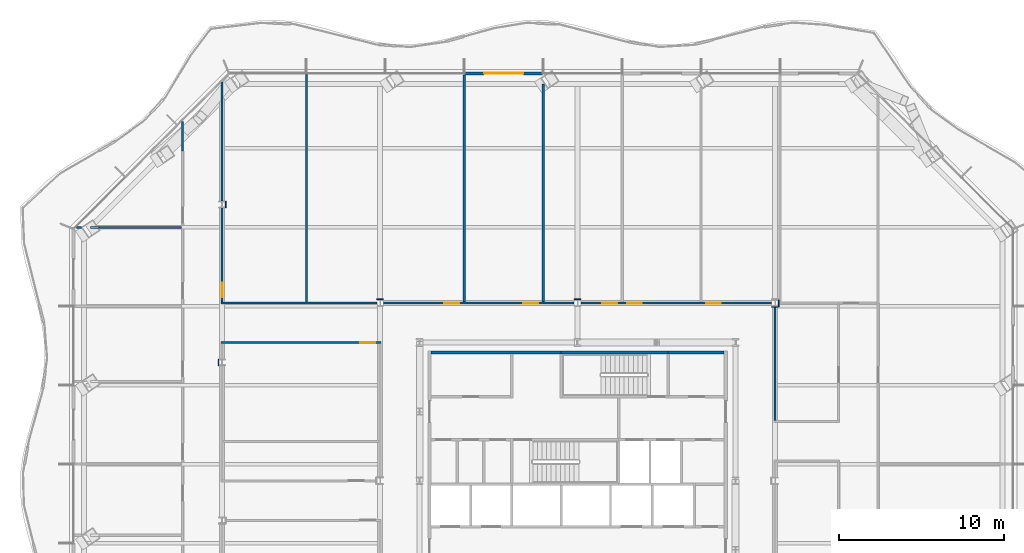
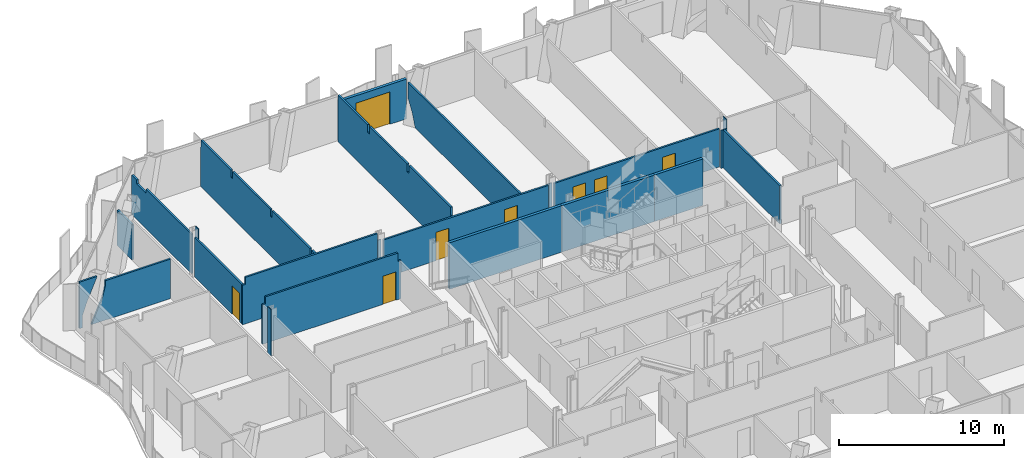
# One storey, part 12 of 22: 23 walls, 8 doors, 8 openings.
"""IFC4 building model written with IfcOpenShell, lengths in metres."""

from ifc_helpers import new_model, si_unit, direction, frame, frame_2d, origin, place, context, subcontext, project, spatial, polyline, rectangle, outline, extrude, material, layer, layer_set, type_object, element, fill, save


model = new_model("IFC4")

# Units and contexts
model_context = context("Model", 3, precision=1e-05, world=origin(), true_north=direction((0.0, 1.0)))
body_context = subcontext(model_context, "Body", "Model", "MODEL_VIEW")
ifc_project = project(units=[si_unit("LENGTHUNIT", "METRE"), si_unit("AREAUNIT", "SQUARE_METRE"), si_unit("VOLUMEUNIT", "CUBIC_METRE"), si_unit("PLANEANGLEUNIT", "RADIAN"), si_unit("MASSUNIT", "GRAM", prefix="KILO")], contexts=[model_context])

# Site, building, storey
site_placement = place(None, origin())
site = spatial("IfcSite", under=ifc_project, at=site_placement, CompositionType="ELEMENT")
building_placement = place(site_placement, origin())
building = spatial("IfcBuilding", under=site, at=building_placement, Name="Cairn Pilgrim Tower", CompositionType="ELEMENT")
storey_placement = place(building_placement, frame((0.0, 0.0, 105.0)))
storey = spatial("IfcBuildingStorey", under=building, at=storey_placement, Name="L25", CompositionType="ELEMENT", Elevation=105.0)

# Wall, opening, door
ifc_material_1 = material(Name="Bronze anodised aluminium insulated sandwich panel with mineral wool fill", Category="aluminium")
ifc_layer_1 = layer(ifc_material_1, 0.199951171875)
ifc_layer_set_1 = layer_set([ifc_layer_1], Name="BRONZE INFILL FRAME WALL 200")
wall_type_1 = type_object("IfcWallType", Name="BRONZE INFILL FRAME WALL 200", PredefinedType="NOTDEFINED", material=ifc_layer_set_1)
wall_1_placement = place(storey_placement, frame((5.0830078125, 27.15869140625, 0.0), z_axis=(0.0, 0.0, 1.0), x_axis=(-1.0, 0.0, 0.0)))
wall_1 = element("IfcWall", 1, at=wall_1_placement, inside=storey, type_object=wall_type_1, Name="Bronze infill frame wall IW-N5", PredefinedType="NOTDEFINED", context=body_context, shape_type="SweptSolid", body=[
    extrude(rectangle(XDim=4.739990234375, YDim=0.199951171875, at=frame_2d((2.3701171875, 0.0))), origin(), (0.0, 0.0, 1.0), 2.949951171875),
])
opening_1_placement = place(wall_1_placement, frame((1.169921875, 0.0, 0.0)))
opening_1 = element("IfcOpeningElement", 2, at=opening_1_placement, cuts=wall_1, Name="Opening 2518B", PredefinedType="OPENING", context=body_context, shape_type="SweptSolid", body=[
    extrude(rectangle(XDim=2.39990234375, YDim=2.39990234375, at=frame_2d((1.199951171875, 1.199951171875))), frame((0.0, 0.10986328125, 0.0), z_axis=(0.0, -1.0, 0.0), x_axis=(1.0, 0.0, 0.0)), (0.0, 0.0, 1.0), 0.219970703125),
])
ifc_material_2 = material(Name="Bronze anodised aluminium frame with tinted low-E glass", Category="aluminium")
door_type_1 = type_object("IfcDoorType", Name="BALCONY SLIDING DOOR 2400x2400", OperationType="DOUBLE_DOOR_SLIDING", PredefinedType="DOOR", material=ifc_material_2)
door_1_placement = place(opening_1_placement, origin())
door_1 = element("IfcDoor", 3, at=door_1_placement, inside=storey, type_object=door_type_1, Name="Balcony sliding door 2518B", OperationType="SINGLE_SWING_LEFT", OverallHeight=2.39990234375, OverallWidth=2.39990234375, PredefinedType="DOOR", context=body_context, shape_type="SweptSolid", body=[
    extrude(rectangle(XDim=2.39990234375, YDim=2.39990234375, at=frame_2d((1.199951171875, 1.199951171875))), frame((0.0, 0.02490234375, 0.0), z_axis=(0.0, -1.0, 0.0), x_axis=(1.0, 0.0, 0.0)), (0.0, 0.0, 1.0), 0.050048828125),
])
fill(opening_1, door_1)

# Walls
ifc_material_3 = material(Name="Concrete C32/40", Category="concrete")
ifc_layer_2 = layer(ifc_material_3, 0.199951171875)
ifc_layer_set_2 = layer_set([ifc_layer_2], Name="CORE OUTER WALL 200 EI 120")
wall_type_2 = type_object("IfcWallType", Name="CORE OUTER WALL 200 EI 120", PredefinedType="SOLIDWALL", material=ifc_layer_set_2)
wall_2_placement = place(storey_placement, frame((-1.699951171875, 10.199951171875, 0.0), z_axis=(0.0, 0.0, 1.0), x_axis=(1.0, 0.0, 0.0)))
element("IfcWall", 4, at=wall_2_placement, inside=storey, type_object=wall_type_2, Name="CW:L25:H11-1", PredefinedType="SOLIDWALL", context=body_context, shape_type="SweptSolid", body=[
    extrude(rectangle(XDim=7.89990234375, YDim=0.199951171875, at=frame_2d((3.949951171875, 0.0))), origin(), (0.0, 0.0, 1.0), 3.449951171875),
])
wall_3_placement = place(storey_placement, frame((12.699951171875, 10.199951171875, 0.0), z_axis=(0.0, 0.0, 1.0), x_axis=(1.0, 0.0, 0.0)))
element("IfcWall", 5, at=wall_3_placement, inside=storey, type_object=wall_type_2, Name="CW:L25:H11-3", PredefinedType="SOLIDWALL", context=body_context, shape_type="SweptSolid", body=[
    extrude(rectangle(XDim=3.400146484375, YDim=0.199951171875, at=frame_2d((1.7001953125, 0.0))), origin(), (0.0, 0.0, 1.0), 3.449951171875),
])
ifc_material_4 = material(Name="Gypsum partition")
ifc_layer_3 = layer(ifc_material_4, 0.125)
ifc_layer_set_3 = layer_set([ifc_layer_3], Name="PARTITION 125 DRYWALL EI 60")
wall_type_3 = type_object("IfcWallType", Name="PARTITION 125 DRYWALL EI 60", PredefinedType="PARTITIONING", material=ifc_layer_set_3)
wall_4_placement = place(storey_placement, frame((19.199951171875, 6.0625, 0.0), z_axis=(0.0, 0.0, 1.0), x_axis=(0.0, 1.0, 0.0)))
element("IfcWall", 6, at=wall_4_placement, inside=storey, type_object=wall_type_3, Name="PARTITION W053", PredefinedType="PARTITIONING", context=body_context, shape_type="SweptSolid", body=[
    extrude(rectangle(XDim=6.925048828125, YDim=0.125, at=frame_2d((3.46240234375, 0.0))), origin(), (0.0, 0.0, 1.0), 2.830078125),
])

# Wall, opening, door
wall_5_placement = place(storey_placement, frame((-14.46240234375, 10.800048828125, 0.0), z_axis=(0.0, 0.0, 1.0), x_axis=(1.0, 0.0, 0.0)))
wall_5 = element("IfcWall", 7, at=wall_5_placement, inside=storey, type_object=wall_type_3, Name="PARTITION W058", PredefinedType="PARTITIONING", context=body_context, shape_type="SweptSolid", body=[
    extrude(outline(polyline([(0.0, 0.0), (9.724853515625, 0.0), (9.72509765625, 2.830078125), (9.512451171875, 2.830078125), (9.510498046875, 3.449951171875), (0.21240234375, 3.449951171875), (0.21044921875, 2.929931640625), (0.0, 2.929931640625), (0.0, 0.0)])), frame((0.0, 0.0625, 0.0), z_axis=(0.0, -1.0, 0.0), x_axis=(1.0, 0.0, 0.0)), (0.0, 0.0, 1.0), 0.125),
])
opening_2_placement = place(wall_5_placement, frame((8.46240234375, 0.0, 0.0)))
opening_2 = element("IfcOpeningElement", 8, at=opening_2_placement, cuts=wall_5, Name="Opening 2533", PredefinedType="OPENING", context=body_context, shape_type="SweptSolid", body=[
    extrude(rectangle(XDim=0.89990234375, YDim=2.10009765625, at=frame_2d((0.449951171875, 1.050048828125))), frame((0.0, 0.072509765625, 0.0), z_axis=(0.0, -1.0, 0.0), x_axis=(1.0, 0.0, 0.0)), (0.0, 0.0, 1.0), 0.14501953125),
])
ifc_material_5 = material(Name="Steel-faced fire door leaf", Category="steel")
door_type_2 = type_object("IfcDoorType", Name="FIRE DOOR 900x2100 FD30S", OperationType="NOTDEFINED", PredefinedType="DOOR", material=ifc_material_5)
door_2_placement = place(opening_2_placement, frame((0.89990234375, 0.0, 0.0), z_axis=(0.0, 0.0, 1.0), x_axis=(-1.0, 0.0, 0.0)))
door_2 = element("IfcDoor", 9, at=door_2_placement, inside=storey, type_object=door_type_2, Name="DOOR 2533", OperationType="SINGLE_SWING_RIGHT", OverallHeight=2.10009765625, OverallWidth=0.89990234375, PredefinedType="DOOR", context=body_context, shape_type="SweptSolid", body=[
    extrude(rectangle(XDim=0.89990234375, YDim=2.10009765625, at=frame_2d((0.449951171875, 1.050048828125))), frame((0.0, 0.02490234375, 0.0), z_axis=(0.0, -1.0, 0.0), x_axis=(1.0, 0.0, 0.0)), (0.0, 0.0, 1.0), 0.050048828125),
])
fill(opening_2, door_2)

# Wall
wall_6_placement = place(storey_placement, frame((-14.46240234375, 13.199951171875, 0.0), z_axis=(0.0, 0.0, 1.0), x_axis=(1.0, 0.0, 0.0)))
element("IfcWall", 10, at=wall_6_placement, inside=storey, type_object=wall_type_3, Name="PARTITION W060", PredefinedType="PARTITIONING", context=body_context, shape_type="SweptSolid", body=[
    extrude(outline(polyline([(0.0, 0.0), (9.4580078125, 0.0), (9.4580078125, 3.449951171875), (0.21240234375, 3.449951171875), (0.21044921875, 2.929931640625), (0.0, 2.929931640625), (0.0, 0.0)])), frame((0.0, 0.0625, 0.0), z_axis=(0.0, -1.0, 0.0), x_axis=(1.0, 0.0, 0.0)), (0.0, 0.0, 1.0), 0.125),
])

# Wall, openings, doors
wall_7_placement = place(storey_placement, frame((-4.595458984375, 13.199951171875, 0.0), z_axis=(0.0, 0.0, 1.0), x_axis=(1.0, 0.0, 0.0)))
wall_7 = element("IfcWall", 11, at=wall_7_placement, inside=storey, type_object=wall_type_3, Name="PARTITION W061", PredefinedType="PARTITIONING", context=body_context, shape_type="SweptSolid", body=[
    extrude(rectangle(XDim=11.591064453125, YDim=0.125, at=frame_2d((5.79541015625, 0.0))), origin(), (0.0, 0.0, 1.0), 2.830078125),
])
opening_3_placement = place(wall_7_placement, frame((3.695556640625, 0.0, 0.0)))
opening_3 = element("IfcOpeningElement", 12, at=opening_3_placement, cuts=wall_7, Name="Opening 2517", PredefinedType="OPENING", context=body_context, shape_type="SweptSolid", body=[
    extrude(rectangle(XDim=0.89990234375, YDim=2.10009765625, at=frame_2d((0.449951171875, 1.050048828125))), frame((0.0, 0.072509765625, 0.0), z_axis=(0.0, -1.0, 0.0), x_axis=(1.0, 0.0, 0.0)), (0.0, 0.0, 1.0), 0.14501953125),
])
opening_4_placement = place(wall_7_placement, frame((8.508544921875, 0.0, 0.0)))
opening_4 = element("IfcOpeningElement", 13, at=opening_4_placement, cuts=wall_7, Name="Opening 2518", PredefinedType="OPENING", context=body_context, shape_type="SweptSolid", body=[
    extrude(rectangle(XDim=0.89990234375, YDim=2.10009765625, at=frame_2d((0.449951171875, 1.050048828125))), frame((0.0, 0.072509765625, 0.0), z_axis=(0.0, -1.0, 0.0), x_axis=(1.0, 0.0, 0.0)), (0.0, 0.0, 1.0), 0.14501953125),
])
door_3_placement = place(opening_3_placement, origin())
door_3 = element("IfcDoor", 14, at=door_3_placement, inside=storey, type_object=door_type_2, Name="DOOR 2517", OperationType="SINGLE_SWING_RIGHT", OverallHeight=2.10009765625, OverallWidth=0.89990234375, PredefinedType="DOOR", context=body_context, shape_type="SweptSolid", body=[
    extrude(rectangle(XDim=0.89990234375, YDim=2.10009765625, at=frame_2d((0.449951171875, 1.050048828125))), frame((0.0, 0.02490234375, 0.0), z_axis=(0.0, -1.0, 0.0), x_axis=(1.0, 0.0, 0.0)), (0.0, 0.0, 1.0), 0.050048828125),
])
fill(opening_3, door_3)
door_4_placement = place(opening_4_placement, origin())
door_4 = element("IfcDoor", 15, at=door_4_placement, inside=storey, type_object=door_type_2, Name="DOOR 2518", OperationType="SINGLE_SWING_LEFT", OverallHeight=2.10009765625, OverallWidth=0.89990234375, PredefinedType="DOOR", context=body_context, shape_type="SweptSolid", body=[
    extrude(rectangle(XDim=0.89990234375, YDim=2.10009765625, at=frame_2d((0.449951171875, 1.050048828125))), frame((0.0, 0.02490234375, 0.0), z_axis=(0.0, -1.0, 0.0), x_axis=(1.0, 0.0, 0.0)), (0.0, 0.0, 1.0), 0.050048828125),
])
fill(opening_4, door_4)

wall_8_placement = place(storey_placement, frame((7.404541015625, 13.199951171875, 0.0), z_axis=(0.0, 0.0, 1.0), x_axis=(1.0, 0.0, 0.0)))
wall_8 = element("IfcWall", 16, at=wall_8_placement, inside=storey, type_object=wall_type_3, Name="PARTITION W062", PredefinedType="PARTITIONING", context=body_context, shape_type="SweptSolid", body=[
    extrude(rectangle(XDim=11.591064453125, YDim=0.125, at=frame_2d((5.79541015625, 0.0))), origin(), (0.0, 0.0, 1.0), 2.830078125),
])
opening_5_placement = place(wall_8_placement, frame((1.30859375, 0.0, 0.0)))
opening_5 = element("IfcOpeningElement", 17, at=opening_5_placement, cuts=wall_8, Name="Opening 2519", PredefinedType="OPENING", context=body_context, shape_type="SweptSolid", body=[
    extrude(rectangle(XDim=0.89990234375, YDim=2.10009765625, at=frame_2d((0.449951171875, 1.050048828125))), frame((0.0, 0.072509765625, 0.0), z_axis=(0.0, -1.0, 0.0), x_axis=(1.0, 0.0, 0.0)), (0.0, 0.0, 1.0), 0.14501953125),
])
opening_6_placement = place(wall_8_placement, frame((2.80859375, 0.0, 0.0)))
opening_6 = element("IfcOpeningElement", 18, at=opening_6_placement, cuts=wall_8, Name="Opening 2520", PredefinedType="OPENING", context=body_context, shape_type="SweptSolid", body=[
    extrude(rectangle(XDim=0.89990234375, YDim=2.10009765625, at=frame_2d((0.449951171875, 1.050048828125))), frame((0.0, 0.072509765625, 0.0), z_axis=(0.0, -1.0, 0.0), x_axis=(1.0, 0.0, 0.0)), (0.0, 0.0, 1.0), 0.14501953125),
])
opening_7_placement = place(wall_8_placement, frame((7.6083984375, 0.0, 0.0)))
opening_7 = element("IfcOpeningElement", 19, at=opening_7_placement, cuts=wall_8, Name="Opening 2521", PredefinedType="OPENING", context=body_context, shape_type="SweptSolid", body=[
    extrude(rectangle(XDim=0.89990234375, YDim=2.10009765625, at=frame_2d((0.449951171875, 1.050048828125))), frame((0.0, 0.072509765625, 0.0), z_axis=(0.0, -1.0, 0.0), x_axis=(1.0, 0.0, 0.0)), (0.0, 0.0, 1.0), 0.14501953125),
])
door_5_placement = place(opening_5_placement, origin())
door_5 = element("IfcDoor", 20, at=door_5_placement, inside=storey, type_object=door_type_2, Name="DOOR 2519", OperationType="SINGLE_SWING_RIGHT", OverallHeight=2.10009765625, OverallWidth=0.89990234375, PredefinedType="DOOR", context=body_context, shape_type="SweptSolid", body=[
    extrude(rectangle(XDim=0.89990234375, YDim=2.10009765625, at=frame_2d((0.449951171875, 1.050048828125))), frame((0.0, 0.02490234375, 0.0), z_axis=(0.0, -1.0, 0.0), x_axis=(1.0, 0.0, 0.0)), (0.0, 0.0, 1.0), 0.050048828125),
])
fill(opening_5, door_5)
door_6_placement = place(opening_6_placement, origin())
door_6 = element("IfcDoor", 21, at=door_6_placement, inside=storey, type_object=door_type_2, Name="DOOR 2520", OperationType="SINGLE_SWING_LEFT", OverallHeight=2.10009765625, OverallWidth=0.89990234375, PredefinedType="DOOR", context=body_context, shape_type="SweptSolid", body=[
    extrude(rectangle(XDim=0.89990234375, YDim=2.10009765625, at=frame_2d((0.449951171875, 1.050048828125))), frame((0.0, 0.02490234375, 0.0), z_axis=(0.0, -1.0, 0.0), x_axis=(1.0, 0.0, 0.0)), (0.0, 0.0, 1.0), 0.050048828125),
])
fill(opening_6, door_6)
door_7_placement = place(opening_7_placement, origin())
door_7 = element("IfcDoor", 22, at=door_7_placement, inside=storey, type_object=door_type_2, Name="DOOR 2521", OperationType="SINGLE_SWING_RIGHT", OverallHeight=2.10009765625, OverallWidth=0.89990234375, PredefinedType="DOOR", context=body_context, shape_type="SweptSolid", body=[
    extrude(rectangle(XDim=0.89990234375, YDim=2.10009765625, at=frame_2d((0.449951171875, 1.050048828125))), frame((0.0, 0.02490234375, 0.0), z_axis=(0.0, -1.0, 0.0), x_axis=(1.0, 0.0, 0.0)), (0.0, 0.0, 1.0), 0.050048828125),
])
fill(opening_7, door_7)

# Wall, opening, door
wall_9_placement = place(storey_placement, frame((-14.39990234375, 13.262451171875, 0.0), z_axis=(0.0, 0.0, 1.0), x_axis=(0.0, 1.0, 0.0)))
wall_9 = element("IfcWall", 23, at=wall_9_placement, inside=storey, type_object=wall_type_3, Name="PARTITION W066", PredefinedType="PARTITIONING", context=body_context, shape_type="SweptSolid", body=[
    extrude(rectangle(XDim=5.740966796875, YDim=0.125, at=frame_2d((2.87060546875, 0.0))), origin(), (0.0, 0.0, 1.0), 2.929931640625),
])
opening_8_placement = place(wall_9_placement, frame((0.279541015625, 0.0, 0.0)))
opening_8 = element("IfcOpeningElement", 24, at=opening_8_placement, cuts=wall_9, Name="Opening 2516", PredefinedType="OPENING", context=body_context, shape_type="SweptSolid", body=[
    extrude(rectangle(XDim=0.89990234375, YDim=2.10009765625, at=frame_2d((0.449951171875, 1.050048828125))), frame((0.0, 0.072509765625, 0.0), z_axis=(0.0, -1.0, 0.0), x_axis=(1.0, 0.0, 0.0)), (0.0, 0.0, 1.0), 0.14501953125),
])
door_8_placement = place(opening_8_placement, frame((0.89990234375, 0.0, 0.0), z_axis=(0.0, 0.0, 1.0), x_axis=(-1.0, 0.0, 0.0)))
door_8 = element("IfcDoor", 25, at=door_8_placement, inside=storey, type_object=door_type_2, Name="DOOR 2516", OperationType="SINGLE_SWING_LEFT", OverallHeight=2.10009765625, OverallWidth=0.89990234375, PredefinedType="DOOR", context=body_context, shape_type="SweptSolid", body=[
    extrude(rectangle(XDim=0.89990234375, YDim=2.10009765625, at=frame_2d((0.449951171875, 1.050048828125))), frame((0.0, 0.02490234375, 0.0), z_axis=(0.0, -1.0, 0.0), x_axis=(1.0, 0.0, 0.0)), (0.0, 0.0, 1.0), 0.050048828125),
])
fill(opening_8, door_8)

# Walls
wall_10_placement = place(storey_placement, frame((-9.287109375, 13.262451171875, 0.0), z_axis=(0.0, 0.0, 1.0), x_axis=(0.0, 1.0, 0.0)))
element("IfcWall", 26, at=wall_10_placement, inside=storey, type_object=wall_type_3, Name="PARTITION W067", PredefinedType="PARTITIONING", context=body_context, shape_type="SweptSolid", body=[
    extrude(outline(polyline([(0.0, 0.0), (13.836181640625, 0.0), (13.836181640625, 2.929931640625), (13.815185546875, 2.929931640625), (13.813232421875, 3.449951171875), (10.165283203125, 3.449951171875), (10.1630859375, 2.929931640625), (9.965087890625, 2.929931640625), (9.963134765625, 3.449951171875), (5.365234375, 3.449951171875), (5.36328125, 2.929931640625), (5.165283203125, 2.929931640625), (5.1630859375, 3.449951171875), (0.565185546875, 3.449951171875), (0.563232421875, 2.929931640625), (0.365234375, 2.929931640625), (0.36328125, 3.449951171875), (0.0, 3.449951171875), (0.0, 0.0)])), frame((0.0, 0.0625, 0.0), z_axis=(0.0, -1.0, 0.0), x_axis=(1.0, 0.0, 0.0)), (0.0, 0.0, 1.0), 0.125),
])
wall_11_placement = place(storey_placement, frame((0.31298828125, 13.262451171875, 0.0), z_axis=(0.0, 0.0, 1.0), x_axis=(0.0, 1.0, 0.0)))
element("IfcWall", 27, at=wall_11_placement, inside=storey, type_object=wall_type_3, Name="PARTITION W068", PredefinedType="PARTITIONING", context=body_context, shape_type="SweptSolid", body=[
    extrude(outline(polyline([(0.0, 0.0), (13.796142578125, 0.0), (13.796142578125, 3.449951171875), (10.170166015625, 3.449951171875), (10.168212890625, 2.8798828125), (9.960205078125, 2.8798828125), (9.958251953125, 3.449951171875), (5.3701171875, 3.449951171875), (5.3681640625, 2.8798828125), (5.16015625, 2.8798828125), (5.158203125, 3.449951171875), (0.08740234375, 3.449951171875), (0.08544921875, 2.830078125), (0.0, 2.830078125), (0.0, 0.0)])), frame((0.0, 0.0625, 0.0), z_axis=(0.0, -1.0, 0.0), x_axis=(1.0, 0.0, 0.0)), (0.0, 0.0, 1.0), 0.125),
])
wall_12_placement = place(storey_placement, frame((5.113037109375, 13.262451171875, 0.0), z_axis=(0.0, 0.0, 1.0), x_axis=(0.0, 1.0, 0.0)))
element("IfcWall", 28, at=wall_12_placement, inside=storey, type_object=wall_type_3, Name="PARTITION W069", PredefinedType="PARTITIONING", context=body_context, shape_type="SweptSolid", body=[
    extrude(outline(polyline([(0.0, 0.0), (12.7236328125, 0.0), (13.04296875, 0.862548828125), (13.60302734375, 1.72509765625), (13.60302734375, 2.58740234375), (13.60302734375, 2.830078125), (0.0, 2.830078125), (0.0, 2.58740234375), (0.0, 1.72509765625), (0.0, 0.862548828125), (0.0, 0.0)])), frame((0.0, 0.0625, 0.0), z_axis=(0.0, -1.0, 0.0), x_axis=(1.0, 0.0, 0.0)), (0.0, 0.0, 1.0), 0.125),
])
wall_13_placement = place(storey_placement, frame((-23.2578125, 17.794921875, 0.0), z_axis=(0.0, 0.0, 1.0), x_axis=(1.0, 0.0, 0.0)))
element("IfcWall", 29, at=wall_13_placement, inside=storey, type_object=wall_type_3, Name="PARTITION W073", PredefinedType="PARTITIONING", context=body_context, shape_type="SweptSolid", body=[
    extrude(outline(polyline([(0.0, 0.0), (0.194580078125, 0.0), (0.1982421875, 0.862548828125), (0.489990234375, 1.72509765625), (0.86328125, 2.58740234375), (1.236572265625, 3.449951171875), (0.0, 3.449951171875), (0.0, 2.58740234375), (0.0, 1.72509765625), (0.0, 0.862548828125), (0.0, 0.0)])), frame((0.0, 0.0625, 0.0), z_axis=(0.0, -1.0, 0.0), x_axis=(1.0, 0.0, 0.0)), (0.0, 0.0, 1.0), 0.125),
])
wall_14_placement = place(storey_placement, frame((-22.408935546875, 17.794921875, 0.0), z_axis=(0.0, 0.0, 1.0), x_axis=(1.0, 0.0, 0.0)))
element("IfcWall", 30, at=wall_14_placement, inside=storey, type_object=wall_type_3, Name="PARTITION W074", PredefinedType="PARTITIONING", context=body_context, shape_type="SweptSolid", body=[
    extrude(outline(polyline([(0.0, 0.0), (5.54638671875, 0.0), (5.54638671875, 0.862548828125), (5.54638671875, 1.72509765625), (5.54638671875, 2.58740234375), (5.54638671875, 2.929931640625), (0.9755859375, 2.929931640625), (0.9755859375, 2.58740234375), (0.74658203125, 1.72509765625), (0.373291015625, 0.862548828125), (0.0, 0.0)])), frame((0.0, 0.0625, 0.0), z_axis=(0.0, -1.0, 0.0), x_axis=(1.0, 0.0, 0.0)), (0.0, 0.0, 1.0), 0.125),
])
wall_15_placement = place(storey_placement, frame((-14.39990234375, 19.396484375, 0.0), z_axis=(0.0, 0.0, 1.0), x_axis=(0.0, 1.0, 0.0)))
element("IfcWall", 31, at=wall_15_placement, inside=storey, type_object=wall_type_3, Name="PARTITION W075", PredefinedType="PARTITIONING", context=body_context, shape_type="SweptSolid", body=[
    extrude(outline(polyline([(0.0, 0.0), (7.23779296875, 0.0), (7.23779296875, 2.929931640625), (6.624267578125, 2.929931640625), (6.622314453125, 2.6298828125), (5.50927734375, 2.6298828125), (5.50732421875, 2.929931640625), (0.0, 2.929931640625), (0.0, 0.0)])), frame((0.0, 0.0625, 0.0), z_axis=(0.0, -1.0, 0.0), x_axis=(1.0, 0.0, 0.0)), (0.0, 0.0, 1.0), 0.125),
])
wall_16_placement = place(storey_placement, frame((-16.800048828125, 22.43359375, 0.0), z_axis=(0.0, 0.0, 1.0), x_axis=(0.0, 1.0, 0.0)))
element("IfcWall", 32, at=wall_16_placement, inside=storey, type_object=wall_type_3, Name="PARTITION W076", PredefinedType="PARTITIONING", context=body_context, shape_type="SweptSolid", body=[
    extrude(outline(polyline([(0.0, 0.0), (1.80078125, 0.0), (1.80078125, 0.862548828125), (1.80078125, 1.72509765625), (1.80078125, 2.58740234375), (1.80078125, 2.6298828125), (0.027587890625, 2.6298828125), (0.0, 2.58740234375), (0.0, 1.72509765625), (0.0, 0.862548828125), (0.0, 0.0)])), frame((0.0, 0.0625, 0.0), z_axis=(0.0, -1.0, 0.0), x_axis=(1.0, 0.0, 0.0)), (0.0, 0.0, 1.0), 0.125),
])
ifc_layer_4 = layer(ifc_material_4, 0.050048828125)
ifc_layer_set_4 = layer_set([ifc_layer_4], Name="PARTITION 50 DRYWALL EI 60")
wall_type_4 = type_object("IfcWallType", Name="PARTITION 50 DRYWALL EI 60", PredefinedType="PARTITIONING", material=ifc_layer_set_4)
wall_17_placement = place(storey_placement, frame((-14.62451171875, 9.403564453125, 0.0), z_axis=(0.0, 0.0, 1.0), x_axis=(0.0, 1.0, 0.0)))
element("IfcWall", 33, at=wall_17_placement, inside=storey, type_object=wall_type_4, Name="COLUMN CASING WC10", PredefinedType="PARTITIONING", context=body_context, shape_type="SweptSolid", body=[
    extrude(rectangle(XDim=0.392822265625, YDim=0.050048828125, at=frame_2d((0.1962890625, 0.0))), origin(), (0.0, 0.0, 1.0), 3.449951171875),
])
wall_18_placement = place(storey_placement, frame((19.429443359375, 12.987548828125, 0.0), z_axis=(0.0, 0.0, 1.0), x_axis=(0.0, 1.0, 0.0)))
element("IfcWall", 34, at=wall_18_placement, inside=storey, type_object=wall_type_4, Name="COLUMN CASING WC12", PredefinedType="PARTITIONING", context=body_context, shape_type="SweptSolid", body=[
    extrude(rectangle(XDim=0.425048828125, YDim=0.050048828125, at=frame_2d((0.21240234375, 0.0))), origin(), (0.0, 0.0, 1.0), 3.449951171875),
])
for number, where, z_axis, x_axis, name in (
    (35, (-5.00439453125, 13.4375, 0.0), (0.0, 0.0, 1.0), (1.0, 0.0, 0.0), "COLUMN CASING WC13"),
    (36, (6.99560546875, 13.4375, 0.0), (0.0, 0.0, 1.0), (1.0, 0.0, 0.0), "COLUMN CASING WC14"),
):
    element("IfcWall", number, at=place(storey_placement, frame(where, z_axis=z_axis, x_axis=x_axis)), inside=storey, type_object=wall_type_4, Name=name, PredefinedType="PARTITIONING", context=body_context, shape_type="SweptSolid", body=[
        extrude(rectangle(XDim=0.408935546875, YDim=0.050048828125, at=frame_2d((0.20458984375, 0.0))), origin(), (0.0, 0.0, 1.0), 2.72998046875),
    ])
wall_19_placement = place(storey_placement, frame((18.99560546875, 12.96240234375, 0.0), z_axis=(0.0, 0.0, 1.0), x_axis=(1.0, 0.0, 0.0)))
element("IfcWall", 37, at=wall_19_placement, inside=storey, type_object=wall_type_4, Name="COLUMN CASING WC16", PredefinedType="PARTITIONING", context=body_context, shape_type="SweptSolid", body=[
    extrude(rectangle(XDim=0.408935546875, YDim=0.050048828125, at=frame_2d((0.20458984375, 0.0))), origin(), (0.0, 0.0, 1.0), 2.830078125),
])
wall_20_placement = place(storey_placement, frame((-14.175537109375, 19.00341796875, 0.0), z_axis=(0.0, 0.0, 1.0), x_axis=(0.0, 1.0, 0.0)))
element("IfcWall", 38, at=wall_20_placement, inside=storey, type_object=wall_type_4, Name="COLUMN CASING WC17", PredefinedType="PARTITIONING", context=body_context, shape_type="SweptSolid", body=[
    extrude(rectangle(XDim=0.39306640625, YDim=0.050048828125, at=frame_2d((0.196533203125, 0.0))), origin(), (0.0, 0.0, 1.0), 3.449951171875),
])
ifc_material_6 = material(Name="Concrete C35/45", Category="concrete")
ifc_layer_5 = layer(ifc_material_6, 0.199951171875)
ifc_layer_set_5 = layer_set([ifc_layer_5], Name="STAIR SHAFT WALL 200 EI 120")
wall_type_5 = type_object("IfcWallType", Name="STAIR SHAFT WALL 200 EI 120", PredefinedType="SOLIDWALL", material=ifc_layer_set_5)
wall_21_placement = place(storey_placement, frame((6.199951171875, 10.199951171875, 0.0), z_axis=(0.0, 0.0, 1.0), x_axis=(1.0, 0.0, 0.0)))
element("IfcWall", 39, at=wall_21_placement, inside=storey, type_object=wall_type_5, Name="CW:L25:H11-2", PredefinedType="SOLIDWALL", context=body_context, shape_type="SweptSolid", body=[
    extrude(rectangle(XDim=6.5, YDim=0.199951171875, at=frame_2d((3.25, 0.0))), origin(), (0.0, 0.0, 1.0), 3.449951171875),
])

save(model, "model.ifc")
